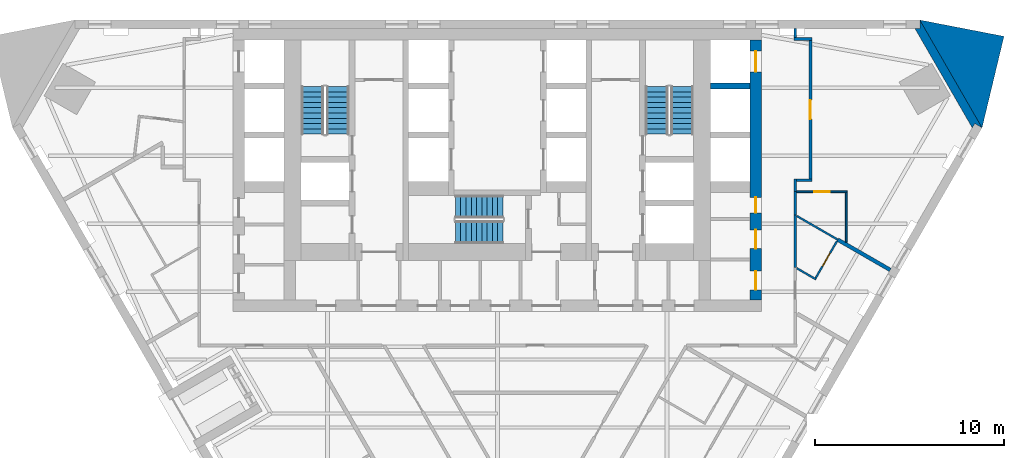
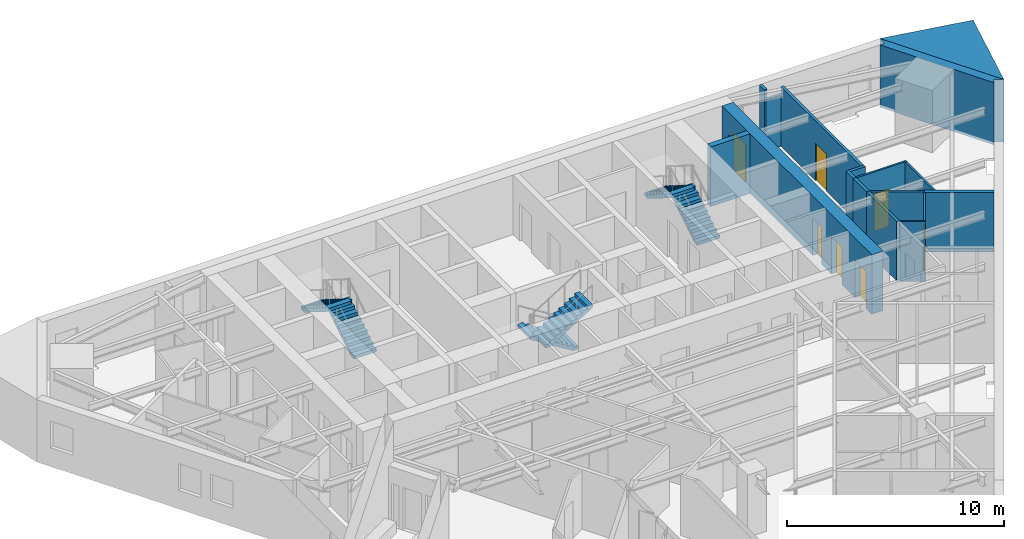
# One storey, part 8 of 9: 17 walls, 7 doors, 6 stair flights, 7 openings, 3 elements without a shape of their own.
"""IFC4 building model written with IfcOpenShell, lengths in metres."""

from ifc_helpers import new_model, si_unit, direction, frame, frame_2d, origin, place, context, subcontext, project, spatial, polyline, rectangle, outline, extrude, material, layer, layer_set, type_object, element, fill, aggregate, save


model = new_model("IFC4")

# Units and contexts
model_context = context("Model", 3, precision=1e-05, world=origin(), true_north=direction((0.0, 1.0)))
body_context = subcontext(model_context, "Body", "Model", "MODEL_VIEW")
ifc_project = project(units=[si_unit("LENGTHUNIT", "METRE"), si_unit("AREAUNIT", "SQUARE_METRE"), si_unit("VOLUMEUNIT", "CUBIC_METRE"), si_unit("PLANEANGLEUNIT", "RADIAN"), si_unit("MASSUNIT", "GRAM", prefix="KILO")], contexts=[model_context])

# Site, building, storey
site_placement = place(None, origin())
site = spatial("IfcSite", under=ifc_project, at=site_placement, CompositionType="ELEMENT")
building_placement = place(site_placement, origin())
building = spatial("IfcBuilding", under=site, at=building_placement, Name="Aloe Facet Convention Tower", CompositionType="ELEMENT")
storey_placement = place(building_placement, frame((0.0, 0.0, 52.5)))
storey = spatial("IfcBuildingStorey", under=building, at=storey_placement, Name="L11", CompositionType="ELEMENT", Elevation=52.5)

# Wall
ifc_material_1 = material(Name="Concrete C80/95", Category="concrete")
ifc_layer_1 = layer(ifc_material_1, 0.300048828125)
ifc_layer_set_1 = layer_set([ifc_layer_1], Name="CR-W-RC300-C8095")
wall_type_1 = type_object("IfcWallType", Name="CR-W-RC300-C8095", PredefinedType="SOLIDWALL", material=ifc_layer_set_1)
wall_1_placement = place(storey_placement, frame((91.300048828125, 131.5, 0.0), z_axis=(0.0, 0.0, 1.0), x_axis=(1.0, 0.0, 0.0)))
element("IfcWall", 1, at=wall_1_placement, inside=storey, type_object=wall_type_1, Name="Core wall L11-050", PredefinedType="SOLIDWALL", context=body_context, shape_type="SweptSolid", body=[
    extrude(rectangle(XDim=2.099853515625, YDim=0.300048828125, at=frame_2d((1.0498046875, 0.0))), origin(), (0.0, 0.0, 1.0), 3.35009765625),
])

# Wall, openings, doors
ifc_material_2 = material(Name="Concrete C80/95", Category="concrete")
ifc_layer_2 = layer(ifc_material_2, 0.60009765625)
ifc_layer_set_2 = layer_set([ifc_layer_2], Name="CR-W-RC600-C8095")
wall_type_2 = type_object("IfcWallType", Name="CR-W-RC600-C8095", PredefinedType="SOLIDWALL", material=ifc_layer_set_2)
wall_2_placement = place(storey_placement, frame((93.699951171875, 133.949951171875, 0.0), z_axis=(0.0, 0.0, 1.0), x_axis=(0.0, -1.0, 0.0)))
wall_2 = element("IfcWall", 2, at=wall_2_placement, inside=storey, type_object=wall_type_2, Name="Core wall L11-055", PredefinedType="SOLIDWALL", context=body_context, shape_type="SweptSolid", body=[
    extrude(rectangle(XDim=13.800048828125, YDim=0.60009765625, at=frame_2d((6.89990234375, 0.0))), origin(), (0.0, 0.0, 1.0), 3.35009765625),
])
opening_1_placement = place(wall_2_placement, frame((0.60009765625, 0.0, 0.0)))
opening_1 = element("IfcOpeningElement", 3, at=opening_1_placement, cuts=wall_2, Name="Opening LD-A8-L11", PredefinedType="OPENING", context=body_context, shape_type="SweptSolid", body=[
    extrude(rectangle(XDim=1.10009765625, YDim=2.10009765625, at=frame_2d((0.550048828125, 1.050048828125))), frame((0.0, 0.31005859375, 0.0), z_axis=(0.0, -1.0, 0.0), x_axis=(1.0, 0.0, 0.0)), (0.0, 0.0, 1.0), 0.6201171875),
])
opening_2_placement = place(wall_2_placement, frame((8.35009765625, 0.0, 0.0)))
opening_2 = element("IfcOpeningElement", 4, at=opening_2_placement, cuts=wall_2, Name="Opening L11-CD09", PredefinedType="OPENING", context=body_context, shape_type="SweptSolid", body=[
    extrude(rectangle(XDim=0.826416015625, YDim=2.10009765625, at=frame_2d((0.4130859375, 1.050048828125))), frame((0.0, 0.31005859375, 0.0), z_axis=(0.0, -1.0, 0.0), x_axis=(1.0, 0.0, 0.0)), (0.0, 0.0, 1.0), 0.6201171875),
])
opening_3_placement = place(wall_2_placement, frame((10.071044921875, 0.0, 0.0)))
opening_3 = element("IfcOpeningElement", 5, at=opening_3_placement, cuts=wall_2, Name="Opening L11-CD10", PredefinedType="OPENING", context=body_context, shape_type="SweptSolid", body=[
    extrude(rectangle(XDim=1.0, YDim=2.10009765625, at=frame_2d((0.5, 1.050048828125))), frame((0.0, 0.31005859375, 0.0), z_axis=(0.0, -1.0, 0.0), x_axis=(1.0, 0.0, 0.0)), (0.0, 0.0, 1.0), 0.6201171875),
])
opening_4_placement = place(wall_2_placement, frame((12.2578125, 0.0, 0.0)))
opening_4 = element("IfcOpeningElement", 6, at=opening_4_placement, cuts=wall_2, Name="Opening L11-CD11", PredefinedType="OPENING", context=body_context, shape_type="SweptSolid", body=[
    extrude(rectangle(XDim=1.0, YDim=2.10009765625, at=frame_2d((0.5, 1.050048828125))), frame((0.0, 0.31005859375, 0.0), z_axis=(0.0, -1.0, 0.0), x_axis=(1.0, 0.0, 0.0)), (0.0, 0.0, 1.0), 0.6201171875),
])
ifc_material_3 = material(Name="Steel fire-resisting door set FD60", Category="steel")
door_type_1 = type_object("IfcDoorType", Name="CR-D-ROOM-1000-FD60-SLEFT", OperationType="SINGLE_SWING_LEFT", PredefinedType="DOOR", material=ifc_material_3)
door_1_placement = place(opening_3_placement, origin())
door_1 = element("IfcDoor", 7, at=door_1_placement, inside=storey, type_object=door_type_1, Name="Core door L11-CD10", OperationType="SINGLE_SWING_LEFT", OverallHeight=2.10009765625, OverallWidth=1.0, PredefinedType="DOOR", context=body_context, shape_type="SweptSolid", body=[
    extrude(rectangle(XDim=1.0, YDim=2.10009765625, at=frame_2d((0.5, 1.050048828125))), frame((0.0, 0.02490234375, 0.0), z_axis=(0.0, -1.0, 0.0), x_axis=(1.0, 0.0, 0.0)), (0.0, 0.0, 1.0), 0.050048828125),
])
fill(opening_3, door_1)
door_2_placement = place(opening_4_placement, origin())
door_2 = element("IfcDoor", 8, at=door_2_placement, inside=storey, type_object=door_type_1, Name="Core door L11-CD11", OperationType="SINGLE_SWING_LEFT", OverallHeight=2.10009765625, OverallWidth=1.0, PredefinedType="DOOR", context=body_context, shape_type="SweptSolid", body=[
    extrude(rectangle(XDim=1.0, YDim=2.10009765625, at=frame_2d((0.5, 1.050048828125))), frame((0.0, 0.02490234375, 0.0), z_axis=(0.0, -1.0, 0.0), x_axis=(1.0, 0.0, 0.0)), (0.0, 0.0, 1.0), 0.050048828125),
])
fill(opening_4, door_2)
ifc_material_4 = material(Name="Steel fire-resisting door set FD60", Category="steel")
door_type_2 = type_object("IfcDoorType", Name="CR-D-ROOM-826-FD60-SLEFT", OperationType="SINGLE_SWING_LEFT", PredefinedType="DOOR", material=ifc_material_4)
door_3_placement = place(opening_2_placement, origin())
door_3 = element("IfcDoor", 9, at=door_3_placement, inside=storey, type_object=door_type_2, Name="Core door L11-CD09", OperationType="SINGLE_SWING_LEFT", OverallHeight=2.10009765625, OverallWidth=0.826416015625, PredefinedType="DOOR", context=body_context, shape_type="SweptSolid", body=[
    extrude(rectangle(XDim=0.826416015625, YDim=2.10009765625, at=frame_2d((0.4130859375, 1.050048828125))), frame((0.0, 0.02490234375, 0.0), z_axis=(0.0, -1.0, 0.0), x_axis=(1.0, 0.0, 0.0)), (0.0, 0.0, 1.0), 0.050048828125),
])
fill(opening_2, door_3)
ifc_material_5 = material(Name="Stainless steel sliding landing door", Category="steel")
door_type_3 = type_object("IfcDoorType", Name="CR-LD-1100-FD60-_LEFT", OperationType="SLIDING_TO_LEFT", PredefinedType="DOOR", material=ifc_material_5)
door_4_placement = place(opening_1_placement, origin())
door_4 = element("IfcDoor", 10, at=door_4_placement, inside=storey, type_object=door_type_3, Name="Landing door A8 L11", OperationType="SLIDING_TO_LEFT", OverallHeight=2.10009765625, OverallWidth=1.10009765625, PredefinedType="DOOR", context=body_context, shape_type="SweptSolid", body=[
    extrude(rectangle(XDim=1.10009765625, YDim=2.10009765625, at=frame_2d((0.550048828125, 1.050048828125))), frame((0.0, 0.02490234375, 0.0), z_axis=(0.0, -1.0, 0.0), x_axis=(1.0, 0.0, 0.0)), (0.0, 0.0, 1.0), 0.050048828125),
])
fill(opening_1, door_4)

# Walls
ifc_material_6 = material(Name="Precast concrete C40/50", Category="concrete")
ifc_layer_3 = layer(ifc_material_6, 0.449951171875)
ifc_layer_set_3 = layer_set([ifc_layer_3], Name="EV-WALL-PIER")
wall_type_3 = type_object("IfcWallType", Name="EV-WALL-PIER", PredefinedType="SOLIDWALL", material=ifc_layer_set_3)
wall_3_placement = place(storey_placement, frame((0.0, 0.0, -0.14990234375)))
element("IfcWall", 11, at=wall_3_placement, inside=storey, type_object=wall_type_3, Name="EP-L11-C", PredefinedType="SOLIDWALL", context=body_context, shape_type="SweptSolid", body=[
    extrude(outline(polyline([(105.699951171875, 129.2841796875), (105.310302734375, 129.50927734375), (105.180419921875, 129.2841796875), (102.14013671875, 134.550048828125), (102.39990234375, 134.550048828125), (102.39990234375, 135.0), (105.699951171875, 129.2841796875)])), origin(), (0.0, 0.0, 1.0), 3.5),
])
ifc_material_7 = material(Name="Precast concrete C40/50", Category="concrete")
ifc_layer_4 = layer(ifc_material_7, 3.947998046875)
ifc_layer_set_4 = layer_set([ifc_layer_4], Name="EV-WALL-SPINE")
wall_type_4 = type_object("IfcWallType", Name="EV-WALL-SPINE", PredefinedType="SOLIDWALL", material=ifc_layer_set_4)
wall_4_placement = place(storey_placement, frame((0.0, 0.0, -0.14990234375)))
element("IfcWall", 12, at=wall_4_placement, inside=storey, type_object=wall_type_4, Name="SP-NE-L11", PredefinedType="SOLIDWALL", context=body_context, shape_type="SweptSolid", body=[
    extrude(outline(polyline([(105.699951171875, 129.2841796875), (106.862548828125, 134.134765625), (102.39990234375, 135.0), (105.699951171875, 129.2841796875)])), origin(), (0.0, 0.0, 1.0), 3.5),
])
ifc_material_8 = material(Name="Gypsum board partition on steel studs", Category="steel")
ifc_layer_5 = layer(ifc_material_8, 0.14990234375)
ifc_layer_set_5 = layer_set([ifc_layer_5], Name="IN-W-CORR")
wall_type_5 = type_object("IfcWallType", Name="IN-W-CORR", PredefinedType="PARTITIONING", material=ifc_layer_set_5)
wall_5_placement = place(storey_placement, frame((95.800048828125, 121.882568359375, 0.0), z_axis=(0.0, 0.0, 1.0), x_axis=(0.0, 1.0, 0.0)))
element("IfcWall", 13, at=wall_5_placement, inside=storey, type_object=wall_type_5, Name="Partition L11-W080", PredefinedType="PARTITIONING", context=body_context, shape_type="SweptSolid", body=[
    extrude(rectangle(XDim=2.771240234375, YDim=0.14990234375, at=frame_2d((1.3857421875, 0.0))), origin(), (0.0, 0.0, 1.0), 3.35009765625),
])
wall_6_placement = place(storey_placement, frame((95.800048828125, 124.65380859375, 0.0), z_axis=(0.0, 0.0, 1.0), x_axis=(0.0, 1.0, 0.0)))
element("IfcWall", 14, at=wall_6_placement, inside=storey, type_object=wall_type_5, Name="Partition L11-W092", PredefinedType="PARTITIONING", context=body_context, shape_type="SweptSolid", body=[
    extrude(rectangle(XDim=1.2412109375, YDim=0.14990234375, at=frame_2d((0.62060546875, 0.0))), origin(), (0.0, 0.0, 1.0), 3.35009765625),
])
wall_7_placement = place(storey_placement, frame((95.800048828125, 125.89501953125, 0.0), z_axis=(0.0, 0.0, 1.0), x_axis=(0.0, 1.0, 0.0)))
element("IfcWall", 15, at=wall_7_placement, inside=storey, type_object=wall_type_5, Name="Partition L11-W098", PredefinedType="PARTITIONING", context=body_context, shape_type="SweptSolid", body=[
    extrude(rectangle(XDim=0.679931640625, YDim=0.14990234375, at=frame_2d((0.33984375, 0.0))), origin(), (0.0, 0.0, 1.0), 3.35009765625),
])
wall_8_placement = place(storey_placement, frame((95.875, 126.5, 0.0), z_axis=(0.0, 0.0, 1.0), x_axis=(1.0, 0.0, 0.0)))
element("IfcWall", 16, at=wall_8_placement, inside=storey, type_object=wall_type_5, Name="Partition L11-W099", PredefinedType="PARTITIONING", context=body_context, shape_type="SweptSolid", body=[
    extrude(rectangle(XDim=0.800048828125, YDim=0.14990234375, at=frame_2d((0.39990234375, 0.0))), origin(), (0.0, 0.0, 1.0), 3.35009765625),
])
wall_9_placement = place(storey_placement, frame((95.72509765625, 134.0, 0.0), z_axis=(0.0, 0.0, 1.0), x_axis=(1.0, 0.0, 0.0)))
element("IfcWall", 17, at=wall_9_placement, inside=storey, type_object=wall_type_5, Name="Partition L11-W111", PredefinedType="PARTITIONING", context=body_context, shape_type="SweptSolid", body=[
    extrude(rectangle(XDim=0.949462890625, YDim=0.14990234375, at=frame_2d((0.474609375, 0.0))), origin(), (0.0, 0.0, 1.0), 2.88671875),
])

# Wall, opening, door
wall_10_placement = place(storey_placement, frame((96.599609375, 133.925048828125, 0.0), z_axis=(0.0, 0.0, 1.0), x_axis=(6.643194e-05, -0.999999997793, 0.0)))
wall_10 = element("IfcWall", 18, at=wall_10_placement, inside=storey, type_object=wall_type_5, Name="Partition L11-W112", PredefinedType="PARTITIONING", context=body_context, shape_type="SweptSolid", body=[
    extrude(rectangle(XDim=7.35009765625, YDim=0.14990234375, at=frame_2d((3.675048828125, 0.0))), origin(), (0.0, 0.0, 1.0), 3.35009765625),
])
opening_5_placement = place(wall_10_placement, frame((3.175048828125, 0.0, 0.0)))
opening_5 = element("IfcOpeningElement", 19, at=opening_5_placement, cuts=wall_10, Name="Opening L11-001", PredefinedType="OPENING", context=body_context, shape_type="SweptSolid", body=[
    extrude(rectangle(XDim=1.0, YDim=2.10009765625, at=frame_2d((0.5, 1.050048828125))), frame((0.0, 0.0849609375, 0.0), z_axis=(0.0, -1.0, 0.0), x_axis=(1.0, 0.0, 0.0)), (0.0, 0.0, 1.0), 0.169921875),
])
ifc_material_9 = material(Name="Hardwood flush door FD30S", Category="wood")
door_type_4 = type_object("IfcDoorType", Name="IN-D-WIDE", OperationType="SINGLE_SWING_LEFT", PredefinedType="DOOR", material=ifc_material_9)
door_5_placement = place(opening_5_placement, origin())
door_5 = element("IfcDoor", 20, at=door_5_placement, inside=storey, type_object=door_type_4, Name="Door L11-001", OperationType="SINGLE_SWING_LEFT", OverallHeight=2.10009765625, OverallWidth=1.0, PredefinedType="DOOR", context=body_context, shape_type="SweptSolid", body=[
    extrude(rectangle(XDim=1.0, YDim=2.10009765625, at=frame_2d((0.5, 1.050048828125))), frame((0.0, 0.02490234375, 0.0), z_axis=(0.0, -1.0, 0.0), x_axis=(1.0, 0.0, 0.0)), (0.0, 0.0, 1.0), 0.050048828125),
])
fill(opening_5, door_5)

# Walls
wall_11_placement = place(storey_placement, frame((95.800048828125, 134.074951171875, 0.0), z_axis=(0.0, 0.0, 1.0), x_axis=(0.0, 1.0, 0.0)))
element("IfcWall", 21, at=wall_11_placement, inside=storey, type_object=wall_type_5, Name="Partition L11-W113", PredefinedType="PARTITIONING", context=body_context, shape_type="SweptSolid", body=[
    extrude(rectangle(XDim=0.465087890625, YDim=0.14990234375, at=frame_2d((0.232421875, 0.0))), origin(), (0.0, 0.0, 1.0), 3.35009765625),
])
ifc_material_10 = material(Name="Gypsum board partition on steel studs", Category="steel")
ifc_layer_6 = layer(ifc_material_10, 0.10009765625)
ifc_layer_set_6 = layer_set([ifc_layer_6], Name="IN-W-PART")
wall_type_6 = type_object("IfcWallType", Name="IN-W-PART", PredefinedType="PARTITIONING", material=ifc_layer_set_6)
wall_12_placement = place(storey_placement, frame((95.88232421875, 121.835205078125, 0.0), z_axis=(0.0, 0.0, 1.0), x_axis=(0.86601174498, -0.500023656998, 0.0)))
element("IfcWall", 22, at=wall_12_placement, inside=storey, type_object=wall_type_6, Name="Partition L11-W078", PredefinedType="PARTITIONING", context=body_context, shape_type="SweptSolid", body=[
    extrude(rectangle(XDim=1.16943359375, YDim=0.10009765625, at=frame_2d((0.584716796875, 0.0))), origin(), (0.0, 0.0, 1.0), 3.35009765625),
])
wall_13_placement = place(storey_placement, frame((95.88232421875, 124.6064453125, 0.0), z_axis=(0.0, 0.0, 1.0), x_axis=(0.866039519639, -0.499975549825, 0.0)))
element("IfcWall", 23, at=wall_13_placement, inside=storey, type_object=wall_type_6, Name="Partition L11-W087", PredefinedType="PARTITIONING", context=body_context, shape_type="SweptSolid", body=[
    extrude(rectangle(XDim=2.505126953125, YDim=0.10009765625, at=frame_2d((1.25244140625, 0.0))), origin(), (0.0, 0.0, 1.0), 3.35009765625),
])

# Wall, opening, door
wall_14_placement = place(storey_placement, frame((96.876708984375, 121.318603515625, 0.0), z_axis=(0.0, 0.0, 1.0), x_axis=(0.499966648284, 0.866044658551, 0.0)))
wall_14 = element("IfcWall", 24, at=wall_14_placement, inside=storey, type_object=wall_type_6, Name="Partition L11-W088", PredefinedType="PARTITIONING", context=body_context, shape_type="SweptSolid", body=[
    extrude(rectangle(XDim=2.250244140625, YDim=0.10009765625, at=frame_2d((1.125, 0.0))), origin(), (0.0, 0.0, 1.0), 3.35009765625),
])
opening_6_placement = place(wall_14_placement, frame((0.72509765625, 0.0, 0.0)))
opening_6 = element("IfcOpeningElement", 25, at=opening_6_placement, cuts=wall_14, Name="Opening L11-028", PredefinedType="OPENING", context=body_context, shape_type="SweptSolid", body=[
    extrude(rectangle(XDim=0.800048828125, YDim=2.10009765625, at=frame_2d((0.39990234375, 1.050048828125))), frame((0.0, 0.06005859375, 0.0), z_axis=(0.0, -1.0, 0.0), x_axis=(1.0, 0.0, 0.0)), (0.0, 0.0, 1.0), 0.1201171875),
])
ifc_material_11 = material(Name="Timber flush door", Category="wood")
door_type_5 = type_object("IfcDoorType", Name="IN-D-BATH", OperationType="SINGLE_SWING_LEFT", PredefinedType="DOOR", material=ifc_material_11)
door_6_placement = place(opening_6_placement, origin())
door_6 = element("IfcDoor", 26, at=door_6_placement, inside=storey, type_object=door_type_5, Name="Door L11-028", OperationType="SINGLE_SWING_LEFT", OverallHeight=2.10009765625, OverallWidth=0.800048828125, PredefinedType="DOOR", context=body_context, shape_type="SweptSolid", body=[
    extrude(rectangle(XDim=0.800048828125, YDim=2.10009765625, at=frame_2d((0.39990234375, 1.050048828125))), frame((0.0, 0.02490234375, 0.0), z_axis=(0.0, -1.0, 0.0), x_axis=(1.0, 0.0, 0.0)), (0.0, 0.0, 1.0), 0.050048828125),
])
fill(opening_6, door_6)

wall_15_placement = place(storey_placement, frame((95.875, 125.89501953125, 0.0), z_axis=(0.0, 0.0, 1.0), x_axis=(1.0, 0.0, 0.0)))
wall_15 = element("IfcWall", 27, at=wall_15_placement, inside=storey, type_object=wall_type_6, Name="Partition L11-W094", PredefinedType="PARTITIONING", context=body_context, shape_type="SweptSolid", body=[
    extrude(rectangle(XDim=2.675048828125, YDim=0.10009765625, at=frame_2d((1.33740234375, 0.0))), origin(), (0.0, 0.0, 1.0), 3.35009765625),
])
opening_7_placement = place(wall_15_placement, frame((0.9375, 0.0, 0.0)))
opening_7 = element("IfcOpeningElement", 28, at=opening_7_placement, cuts=wall_15, Name="Opening L11-016", PredefinedType="OPENING", context=body_context, shape_type="SweptSolid", body=[
    extrude(rectangle(XDim=0.800048828125, YDim=2.10009765625, at=frame_2d((0.39990234375, 1.050048828125))), frame((0.0, 0.06005859375, 0.0), z_axis=(0.0, -1.0, 0.0), x_axis=(1.0, 0.0, 0.0)), (0.0, 0.0, 1.0), 0.1201171875),
])
door_7_placement = place(opening_7_placement, origin())
door_7 = element("IfcDoor", 29, at=door_7_placement, inside=storey, type_object=door_type_5, Name="Door L11-016", OperationType="SINGLE_SWING_LEFT", OverallHeight=2.10009765625, OverallWidth=0.800048828125, PredefinedType="DOOR", context=body_context, shape_type="SweptSolid", body=[
    extrude(rectangle(XDim=0.800048828125, YDim=2.10009765625, at=frame_2d((0.39990234375, 1.050048828125))), frame((0.0, 0.02490234375, 0.0), z_axis=(0.0, -1.0, 0.0), x_axis=(1.0, 0.0, 0.0)), (0.0, 0.0, 1.0), 0.050048828125),
])
fill(opening_7, door_7)

# Walls
wall_16_placement = place(storey_placement, frame((98.5, 123.22509765625, 0.0), z_axis=(0.0, 0.0, 1.0), x_axis=(0.0, 1.0, 0.0)))
element("IfcWall", 30, at=wall_16_placement, inside=storey, type_object=wall_type_6, Name="Partition L11-W095", PredefinedType="PARTITIONING", context=body_context, shape_type="SweptSolid", body=[
    extrude(rectangle(XDim=2.619873046875, YDim=0.10009765625, at=frame_2d((1.31005859375, 0.0))), origin(), (0.0, 0.0, 1.0), 3.35009765625),
])
ifc_material_12 = material(Name="Gypsum board partition on steel studs", Category="steel")
ifc_layer_7 = layer(ifc_material_12, 0.199951171875)
ifc_layer_set_7 = layer_set([ifc_layer_7], Name="IN-W-PARTY")
wall_type_7 = type_object("IfcWallType", Name="IN-W-PARTY", PredefinedType="PARTITIONING", material=ifc_layer_set_7)
wall_17_placement = place(storey_placement, frame((98.0517578125, 123.35400390625, 0.0), z_axis=(0.0, 0.0, 1.0), x_axis=(0.866019585306, -0.500010077765, 0.0)))
element("IfcWall", 31, at=wall_17_placement, inside=storey, type_object=wall_type_7, Name="Partition L11-W089", PredefinedType="PARTITIONING", context=body_context, shape_type="SweptSolid", body=[
    extrude(rectangle(XDim=3.20849609375, YDim=0.199951171875, at=frame_2d((1.604248046875, 0.0))), origin(), (0.0, 0.0, 1.0), 3.35009765625),
])

# Stair, stair flights
ifc_material_13 = material(Name="Concrete C50/60", Category="concrete")
stair_type = type_object("IfcStairType", Name="CR-ST-20R", PredefinedType="HALF_TURN_STAIR", material=ifc_material_13)
stair_1_placement = place(storey_placement, origin())
stair_1 = element("IfcStair", 32, at=stair_1_placement, inside=storey, type_object=stair_type, Name="L11 Protected exit stair ST1", PredefinedType="HALF_TURN_STAIR")
ifc_material_14 = material(Name="Concrete C50/60", Category="concrete")
stair_flight_type = type_object("IfcStairFlightType", Name="CR-SFL-20R", PredefinedType="STRAIGHT", material=ifc_material_14)
stair_flight_1_placement = place(storey_placement, frame((71.550048828125, 128.949951171875, 0.0), z_axis=(0.0, 0.0, 1.0), x_axis=(0.0, 1.0, 0.0)))
stair_flight_1 = element("IfcStairFlight", 33, at=stair_flight_1_placement, type_object=stair_flight_type, Name="ST1 flight 1", NumberOfRisers=10, NumberOfTreads=9, PredefinedType="STRAIGHT", RiserHeight=0.175, TreadLength=0.28, context=body_context, shape_type="SweptSolid", body=[
    extrude(outline(polyline([(0.0, 0.0), (0.0, 0.175048828125), (0.280029296875, 0.175048828125), (0.280029296875, 0.35009765625), (0.56005859375, 0.35009765625), (0.56005859375, 0.52490234375), (0.840087890625, 0.52490234375), (0.840087890625, 0.699951171875), (1.1201171875, 0.699951171875), (1.1201171875, 0.875), (1.39990234375, 0.875), (1.39990234375, 1.050048828125), (1.679931640625, 1.050048828125), (1.679931640625, 1.22509765625), (1.9599609375, 1.22509765625), (1.9599609375, 1.39990234375), (2.239990234375, 1.39990234375), (2.239990234375, 1.574951171875), (2.52001953125, 1.574951171875), (2.52001953125, 1.75), (2.52001953125, 1.398193359375), (0.28271484375, 0.0), (0.0, 0.0)])), frame((0.0, 0.60009765625, 0.0), z_axis=(0.0, -1.0, 0.0), x_axis=(1.0, 0.0, 0.0)), (0.0, 0.0, 1.0), 1.199951171875),
])
stair_flight_2_placement = place(storey_placement, frame((70.199951171875, 131.469970703125, 1.75), z_axis=(0.0, 0.0, 1.0), x_axis=(0.0, -1.0, 0.0)))
stair_flight_2 = element("IfcStairFlight", 34, at=stair_flight_2_placement, type_object=stair_flight_type, Name="ST1 flight 2", NumberOfRisers=10, NumberOfTreads=9, PredefinedType="STRAIGHT", RiserHeight=0.175, TreadLength=0.28, context=body_context, shape_type="SweptSolid", body=[
    extrude(outline(polyline([(0.0, 0.0), (0.0, 0.175048828125), (0.280029296875, 0.175048828125), (0.280029296875, 0.35009765625), (0.56005859375, 0.35009765625), (0.56005859375, 0.52490234375), (0.840087890625, 0.52490234375), (0.840087890625, 0.699951171875), (1.1201171875, 0.699951171875), (1.1201171875, 0.875), (1.39990234375, 0.875), (1.39990234375, 1.050048828125), (1.679931640625, 1.050048828125), (1.679931640625, 1.22509765625), (1.9599609375, 1.22509765625), (1.9599609375, 1.39990234375), (2.239990234375, 1.39990234375), (2.239990234375, 1.574951171875), (2.52001953125, 1.574951171875), (2.52001953125, 1.75), (2.52001953125, 1.398193359375), (0.28271484375, 0.0), (0.0, 0.0)])), frame((0.0, 0.60009765625, 0.0), z_axis=(0.0, -1.0, 0.0), x_axis=(1.0, 0.0, 0.0)), (0.0, 0.0, 1.0), 1.199951171875),
])
aggregate(stair_1, [stair_flight_1, stair_flight_2])

stair_2_placement = place(storey_placement, origin())
stair_2 = element("IfcStair", 35, at=stair_2_placement, inside=storey, type_object=stair_type, Name="L11 Protected exit stair ST2", PredefinedType="HALF_TURN_STAIR")
stair_flight_3_placement = place(storey_placement, frame((89.800048828125, 128.949951171875, 0.0), z_axis=(0.0, 0.0, 1.0), x_axis=(0.0, 1.0, 0.0)))
stair_flight_3 = element("IfcStairFlight", 36, at=stair_flight_3_placement, type_object=stair_flight_type, Name="ST2 flight 1", NumberOfRisers=10, NumberOfTreads=9, PredefinedType="STRAIGHT", RiserHeight=0.175, TreadLength=0.28, context=body_context, shape_type="SweptSolid", body=[
    extrude(outline(polyline([(0.0, 0.0), (0.0, 0.175048828125), (0.280029296875, 0.175048828125), (0.280029296875, 0.35009765625), (0.56005859375, 0.35009765625), (0.56005859375, 0.52490234375), (0.840087890625, 0.52490234375), (0.840087890625, 0.699951171875), (1.1201171875, 0.699951171875), (1.1201171875, 0.875), (1.39990234375, 0.875), (1.39990234375, 1.050048828125), (1.679931640625, 1.050048828125), (1.679931640625, 1.22509765625), (1.9599609375, 1.22509765625), (1.9599609375, 1.39990234375), (2.239990234375, 1.39990234375), (2.239990234375, 1.574951171875), (2.52001953125, 1.574951171875), (2.52001953125, 1.75), (2.52001953125, 1.398193359375), (0.28271484375, 0.0), (0.0, 0.0)])), frame((0.0, 0.60009765625, 0.0), z_axis=(0.0, -1.0, 0.0), x_axis=(1.0, 0.0, 0.0)), (0.0, 0.0, 1.0), 1.199951171875),
])
stair_flight_4_placement = place(storey_placement, frame((88.449951171875, 131.469970703125, 1.75), z_axis=(0.0, 0.0, 1.0), x_axis=(0.0, -1.0, 0.0)))
stair_flight_4 = element("IfcStairFlight", 37, at=stair_flight_4_placement, type_object=stair_flight_type, Name="ST2 flight 2", NumberOfRisers=10, NumberOfTreads=9, PredefinedType="STRAIGHT", RiserHeight=0.175, TreadLength=0.28, context=body_context, shape_type="SweptSolid", body=[
    extrude(outline(polyline([(0.0, 0.0), (0.0, 0.175048828125), (0.280029296875, 0.175048828125), (0.280029296875, 0.35009765625), (0.56005859375, 0.35009765625), (0.56005859375, 0.52490234375), (0.840087890625, 0.52490234375), (0.840087890625, 0.699951171875), (1.1201171875, 0.699951171875), (1.1201171875, 0.875), (1.39990234375, 0.875), (1.39990234375, 1.050048828125), (1.679931640625, 1.050048828125), (1.679931640625, 1.22509765625), (1.9599609375, 1.22509765625), (1.9599609375, 1.39990234375), (2.239990234375, 1.39990234375), (2.239990234375, 1.574951171875), (2.52001953125, 1.574951171875), (2.52001953125, 1.75), (2.52001953125, 1.398193359375), (0.28271484375, 0.0), (0.0, 0.0)])), frame((0.0, 0.60009765625, 0.0), z_axis=(0.0, -1.0, 0.0), x_axis=(1.0, 0.0, 0.0)), (0.0, 0.0, 1.0), 1.199951171875),
])
aggregate(stair_2, [stair_flight_3, stair_flight_4])

stair_3_placement = place(storey_placement, origin())
stair_3 = element("IfcStair", 38, at=stair_3_placement, inside=storey, type_object=stair_type, Name="L11 Protected exit stair ST3", PredefinedType="HALF_TURN_STAIR")
stair_flight_5_placement = place(storey_placement, frame((80.300048828125, 125.10009765625, 0.0), z_axis=(0.0, 0.0, 1.0), x_axis=(-1.0, 0.0, 0.0)))
stair_flight_5 = element("IfcStairFlight", 39, at=stair_flight_5_placement, type_object=stair_flight_type, Name="ST3 flight 1", NumberOfRisers=10, NumberOfTreads=9, PredefinedType="STRAIGHT", RiserHeight=0.175, TreadLength=0.28, context=body_context, shape_type="SweptSolid", body=[
    extrude(outline(polyline([(0.0, 0.0), (0.0, 0.175048828125), (0.280029296875, 0.175048828125), (0.280029296875, 0.35009765625), (0.56005859375, 0.35009765625), (0.56005859375, 0.52490234375), (0.840087890625, 0.52490234375), (0.840087890625, 0.699951171875), (1.1201171875, 0.699951171875), (1.1201171875, 0.875), (1.39990234375, 0.875), (1.39990234375, 1.050048828125), (1.679931640625, 1.050048828125), (1.679931640625, 1.22509765625), (1.9599609375, 1.22509765625), (1.9599609375, 1.39990234375), (2.239990234375, 1.39990234375), (2.239990234375, 1.574951171875), (2.52001953125, 1.574951171875), (2.52001953125, 1.75), (2.52001953125, 1.398193359375), (0.28271484375, 0.0), (0.0, 0.0)])), frame((0.0, 0.60009765625, 0.0), z_axis=(0.0, -1.0, 0.0), x_axis=(1.0, 0.0, 0.0)), (0.0, 0.0, 1.0), 1.199951171875),
])
stair_flight_6_placement = place(storey_placement, frame((77.780029296875, 123.75, 1.75), z_axis=(0.0, 0.0, 1.0), x_axis=(1.0, 0.0, 0.0)))
stair_flight_6 = element("IfcStairFlight", 40, at=stair_flight_6_placement, type_object=stair_flight_type, Name="ST3 flight 2", NumberOfRisers=10, NumberOfTreads=9, PredefinedType="STRAIGHT", RiserHeight=0.175, TreadLength=0.28, context=body_context, shape_type="SweptSolid", body=[
    extrude(outline(polyline([(0.0, 0.0), (0.0, 0.175048828125), (0.280029296875, 0.175048828125), (0.280029296875, 0.35009765625), (0.56005859375, 0.35009765625), (0.56005859375, 0.52490234375), (0.840087890625, 0.52490234375), (0.840087890625, 0.699951171875), (1.1201171875, 0.699951171875), (1.1201171875, 0.875), (1.39990234375, 0.875), (1.39990234375, 1.050048828125), (1.679931640625, 1.050048828125), (1.679931640625, 1.22509765625), (1.9599609375, 1.22509765625), (1.9599609375, 1.39990234375), (2.239990234375, 1.39990234375), (2.239990234375, 1.574951171875), (2.52001953125, 1.574951171875), (2.52001953125, 1.75), (2.52001953125, 1.398193359375), (0.28271484375, 0.0), (0.0, 0.0)])), frame((0.0, 0.60009765625, 0.0), z_axis=(0.0, -1.0, 0.0), x_axis=(1.0, 0.0, 0.0)), (0.0, 0.0, 1.0), 1.199951171875),
])
aggregate(stair_3, [stair_flight_5, stair_flight_6])

save(model, "model.ifc")
